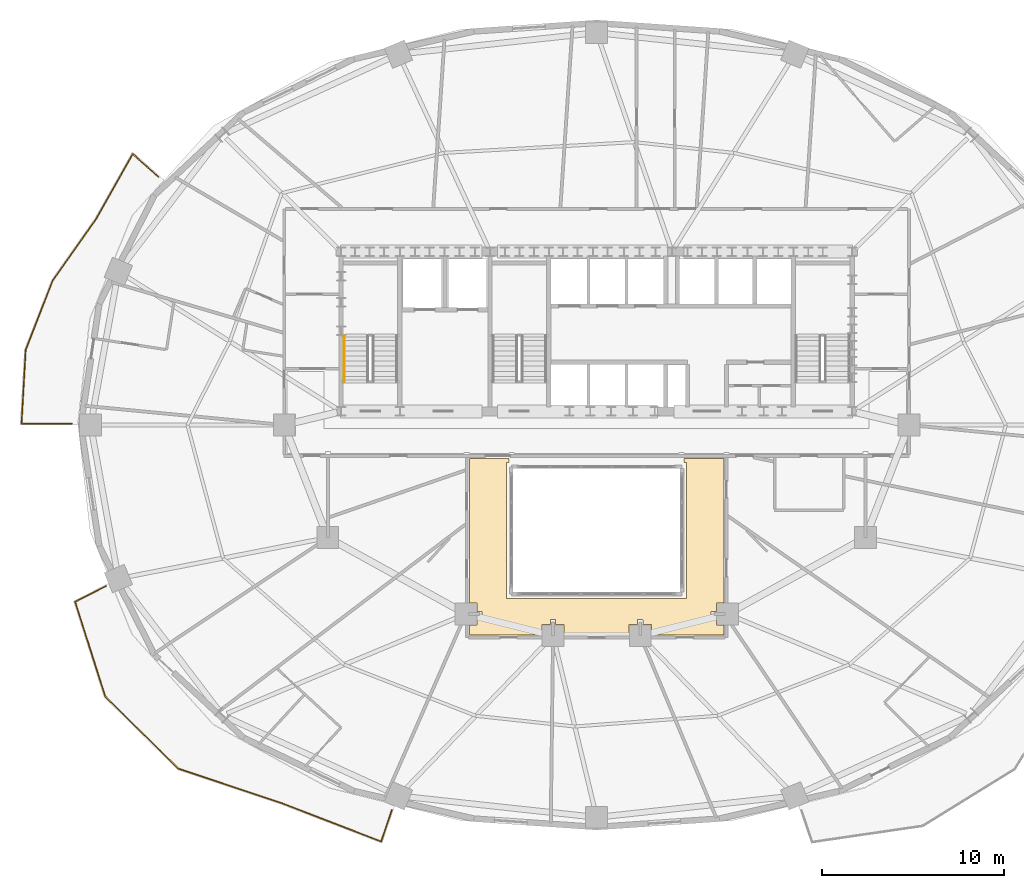
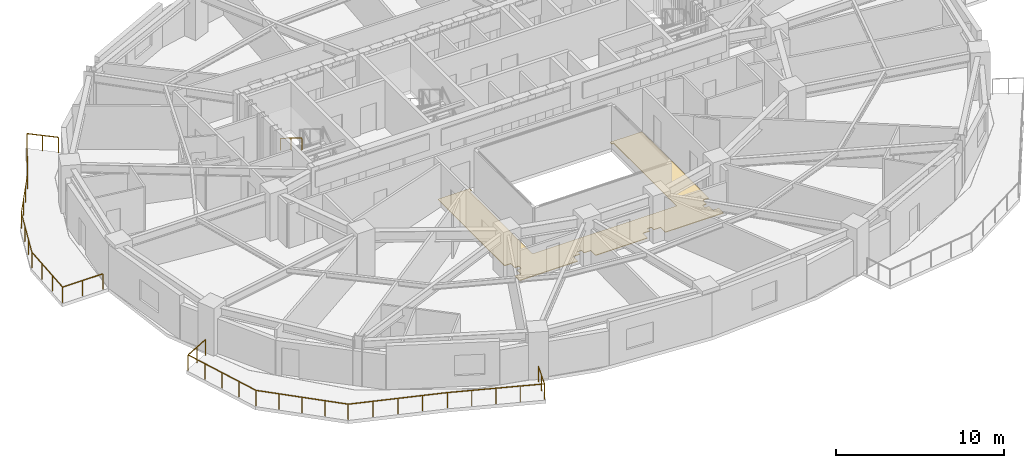
# One storey, part 12 of 14: 3 railings, 1 covering.
"""IFC4 building model written with IfcOpenShell, lengths in metres."""

from ifc_helpers import new_model, si_unit, direction, frame, origin, origin_2d, place, context, subcontext, project, spatial, polyline, rectangle, outline, extrude, material, layer, layer_set, type_object, element, save


model = new_model("IFC4")

# Units and contexts
model_context = context("Model", 3, precision=1e-05, world=origin(), true_north=direction((0.0, 1.0)))
body_context = subcontext(model_context, "Body", "Model", "MODEL_VIEW")
ifc_project = project(units=[si_unit("LENGTHUNIT", "METRE"), si_unit("AREAUNIT", "SQUARE_METRE"), si_unit("VOLUMEUNIT", "CUBIC_METRE"), si_unit("PLANEANGLEUNIT", "RADIAN"), si_unit("MASSUNIT", "GRAM", prefix="KILO")], contexts=[model_context])

# Site, building, storey
site_placement = place(None, origin())
site = spatial("IfcSite", under=ifc_project, at=site_placement, CompositionType="ELEMENT")
building_placement = place(site_placement, origin())
building = spatial("IfcBuilding", under=site, at=building_placement, Name="Haldorwick Loom Tower", CompositionType="ELEMENT")
storey_placement = place(building_placement, frame((0.0, 0.0, 102.5)))
storey = spatial("IfcBuildingStorey", under=building, at=storey_placement, Name="L27", CompositionType="ELEMENT", Elevation=102.5)

# Covering
ifc_material_1 = material(Name="Polished Aggregate Terrazzo Finish")
ifc_layer = layer(ifc_material_1, 0.044921875, Name="Polished Aggregate Terrazzo Finish")
ifc_layer_set = layer_set([ifc_layer], Name="Polished Aggregate Terrazzo Finish")
covering_type = type_object("IfcCoveringType", Name="ARC-COV-FLOOR2", PredefinedType="FLOORING", material=ifc_layer_set)
covering_placement = place(storey_placement, origin())
element("IfcCovering", 1, at=covering_placement, inside=storey, type_object=covering_type, Name="L27 Floor Finish 1", PredefinedType="FLOORING", context=body_context, shape_type="SweptSolid", body=[
    extrude(outline(polyline([(33.719970703125, 15.2900390625), (33.721923828125, 15.289794921875), (33.723876953125, 15.28955078125), (33.725830078125, 15.2890625), (33.727783203125, 15.28857421875), (33.7294921875, 15.28759765625), (33.731201171875, 15.28662109375), (33.732666015625, 15.285400390625), (33.734130859375, 15.2841796875), (33.735595703125, 15.28271484375), (33.736572265625, 15.281005859375), (33.737548828125, 15.279296875), (33.738525390625, 15.277587890625), (33.739013671875, 15.27587890625), (33.739501953125, 15.27392578125), (33.739990234375, 15.27197265625), (33.739990234375, 15.27001953125), (33.739990234375, 15.008056640625), (34.2080078125, 15.008056640625), (34.2080078125, 14.43994140625), (37.7919921875, 14.43994140625), (37.7919921875, 15.008056640625), (38.260009765625, 15.008056640625), (38.260009765625, 15.27001953125), (38.260009765625, 15.27197265625), (38.260498046875, 15.27392578125), (38.260986328125, 15.27587890625), (38.261474609375, 15.277587890625), (38.262451171875, 15.279296875), (38.263427734375, 15.281005859375), (38.264404296875, 15.28271484375), (38.265869140625, 15.2841796875), (38.267333984375, 15.285400390625), (38.268798828125, 15.28662109375), (38.2705078125, 15.28759765625), (38.272216796875, 15.28857421875), (38.274169921875, 15.2890625), (38.276123046875, 15.28955078125), (38.278076171875, 15.289794921875), (38.280029296875, 15.2900390625), (38.52001953125, 15.2900390625), (38.52197265625, 15.289794921875), (38.52392578125, 15.28955078125), (38.52587890625, 15.2890625), (38.527587890625, 15.28857421875), (38.529296875, 15.28759765625), (38.531005859375, 15.28662109375), (38.53271484375, 15.285400390625), (38.5341796875, 15.2841796875), (38.535400390625, 15.28271484375), (38.53662109375, 15.281005859375), (38.53759765625, 15.279541015625), (38.53857421875, 15.277587890625), (38.5390625, 15.27587890625), (38.53955078125, 15.27392578125), (38.539794921875, 15.27197265625), (38.5400390625, 15.27001953125), (38.54052734375, 15.008056640625), (39.008056640625, 15.008056640625), (39.008056640625, 14.43994140625), (43.010009765625, 14.43994140625), (43.010009765625, 14.991943359375), (42.592041015625, 14.991943359375), (42.592041015625, 15.4599609375), (42.330078125, 15.4599609375), (42.327880859375, 15.460205078125), (42.326171875, 15.46044921875), (42.32421875, 15.4609375), (42.322265625, 15.46142578125), (42.320556640625, 15.46240234375), (42.31884765625, 15.46337890625), (42.3173828125, 15.464599609375), (42.31591796875, 15.4658203125), (42.314453125, 15.46728515625), (42.3134765625, 15.468994140625), (42.3125, 15.470703125), (42.3115234375, 15.472412109375), (42.310791015625, 15.47412109375), (42.310302734375, 15.47607421875), (42.31005859375, 15.47802734375), (42.31005859375, 15.47998046875), (42.31005859375, 15.719970703125), (42.31005859375, 15.721923828125), (42.310302734375, 15.723876953125), (42.310791015625, 15.725830078125), (42.3115234375, 15.727783203125), (42.3125, 15.7294921875), (42.3134765625, 15.731201171875), (42.314453125, 15.732666015625), (42.31591796875, 15.734130859375), (42.3173828125, 15.735595703125), (42.31884765625, 15.736572265625), (42.320556640625, 15.737548828125), (42.322265625, 15.738525390625), (42.32421875, 15.739013671875), (42.326171875, 15.739501953125), (42.327880859375, 15.739990234375), (42.330078125, 15.739990234375), (42.592041015625, 15.739990234375), (42.592041015625, 16.2080078125), (43.010009765625, 16.2080078125), (43.010009765625, 24.159912109375), (40.820068359375, 24.159912109375), (40.820068359375, 23.949951171875), (40.949951171875, 23.949951171875), (40.949951171875, 16.449951171875), (31.050048828125, 16.449951171875), (31.050048828125, 23.949951171875), (31.179931640625, 23.949951171875), (31.179931640625, 24.159912109375), (28.989990234375, 24.159912109375), (28.989990234375, 16.2080078125), (29.407958984375, 16.2080078125), (29.407958984375, 15.739990234375), (29.669921875, 15.739990234375), (29.672119140625, 15.739990234375), (29.673828125, 15.739501953125), (29.67578125, 15.739013671875), (29.677734375, 15.738525390625), (29.679443359375, 15.737548828125), (29.68115234375, 15.736572265625), (29.6826171875, 15.735595703125), (29.68408203125, 15.734130859375), (29.685546875, 15.732666015625), (29.6865234375, 15.731201171875), (29.6875, 15.7294921875), (29.6884765625, 15.727783203125), (29.689208984375, 15.725830078125), (29.689697265625, 15.723876953125), (29.68994140625, 15.721923828125), (29.68994140625, 15.719970703125), (29.68994140625, 15.47998046875), (29.68994140625, 15.47802734375), (29.689697265625, 15.47607421875), (29.689208984375, 15.47412109375), (29.6884765625, 15.472412109375), (29.6875, 15.470703125), (29.6865234375, 15.468994140625), (29.685546875, 15.46728515625), (29.68408203125, 15.4658203125), (29.6826171875, 15.464599609375), (29.68115234375, 15.46337890625), (29.679443359375, 15.46240234375), (29.677734375, 15.46142578125), (29.67578125, 15.4609375), (29.673828125, 15.46044921875), (29.672119140625, 15.460205078125), (29.669921875, 15.4599609375), (29.407958984375, 15.4599609375), (29.407958984375, 14.991943359375), (28.989990234375, 14.991943359375), (28.989990234375, 14.43994140625), (32.991943359375, 14.43994140625), (32.991943359375, 15.008056640625), (33.4599609375, 15.008056640625), (33.4599609375, 15.27001953125), (33.460205078125, 15.27197265625), (33.46044921875, 15.27392578125), (33.4609375, 15.27587890625), (33.46142578125, 15.277587890625), (33.46240234375, 15.279296875), (33.46337890625, 15.281005859375), (33.464599609375, 15.28271484375), (33.4658203125, 15.2841796875), (33.46728515625, 15.285400390625), (33.468994140625, 15.28662109375), (33.470703125, 15.28759765625), (33.472412109375, 15.28857421875), (33.47412109375, 15.2890625), (33.47607421875, 15.28955078125), (33.47802734375, 15.289794921875), (33.47998046875, 15.2900390625), (33.719970703125, 15.2900390625)])), origin(), (0.0, 0.0, 1.0), 0.044921875),
])

# Railings
ifc_material_2 = material(Name="Galvanized Steel CSA G40.21 350W", Category="steel")
railing_type_1 = type_object("IfcRailingType", Name="ARC-RLG-BAL115", PredefinedType="BALUSTRADE", material=ifc_material_2)
railing_1_placement = place(storey_placement, frame((24.726806640625, 4.806396484375, 0.0)))
element("IfcRailing", 2, at=railing_1_placement, inside=storey, type_object=railing_type_1, Name="L27 Outdoor Terrace Guardrail SLB-L27-BAL_SW-1", PredefinedType="BALUSTRADE", context=body_context, shape_type="SweptSolid", body=[
    extrude(rectangle(XDim=0.048095703125, YDim=0.048095703125, at=origin_2d()), frame((0.0, 0.0, 1.1259765625), z_axis=(-0.320417931945, -0.94727627907, 0.0), x_axis=(0.94727627907, -0.320417931945, 0.0)), (0.0, 0.0, 1.0), 1.833984375),
    extrude(rectangle(XDim=0.048095703125, YDim=0.048095703125, at=origin_2d()), frame((-0.587646484375, -1.7373046875, 1.1259765625), z_axis=(-0.932882459641, 0.360180949654, 0.0), x_axis=(-0.360180949654, -0.932882459641, 0.0)), (0.0, 0.0, 1.0), 5.838134765625),
    extrude(rectangle(XDim=0.048095703125, YDim=0.048095703125, at=origin_2d()), frame((-6.033935546875, 0.365478515625, 1.1259765625), z_axis=(-0.948683298051, 0.316227766017, 0.0), x_axis=(-0.316227766017, -0.948683298051, 0.0)), (0.0, 0.0, 1.0), 0.00390625),
    extrude(rectangle(XDim=0.048095703125, YDim=0.048095703125, at=origin_2d()), frame((-6.03759765625, 0.36669921875, 1.1259765625), z_axis=(-0.948504711831, 0.316763021254, 0.0), x_axis=(-0.316763021254, -0.948504711831, 0.0)), (0.0, 0.0, 1.0), 6.020263671875),
    extrude(rectangle(XDim=0.048095703125, YDim=0.048095703125, at=origin_2d()), frame((-11.747802734375, 2.273681640625, 1.1259765625), z_axis=(-0.711398400185, 0.702788955671, 0.0), x_axis=(-0.702788955671, -0.711398400185, 0.0)), (0.0, 0.0, 1.0), 5.67138671875),
    extrude(rectangle(XDim=0.048095703125, YDim=0.048095703125, at=origin_2d()), frame((-15.782470703125, 6.259521484375, 1.1259765625), z_axis=(-0.303362527598, 0.952875215781, 0.0), x_axis=(-0.952875215781, -0.303362527598, 0.0)), (0.0, 0.0, 1.0), 5.454833984375),
    extrude(rectangle(XDim=0.048095703125, YDim=0.048095703125, at=origin_2d()), frame((-17.437255859375, 11.457275390625, 1.1259765625), z_axis=(0.890778954109, 0.454436854708, 0.0), x_axis=(-0.454436854708, 0.890778954109, 0.0)), (0.0, 0.0, 1.0), 1.888916015625),
    extrude(rectangle(XDim=0.0419921875, YDim=0.0419921875, at=origin_2d()), origin(), (0.0, 0.0, 1.0), 1.101806640625),
    extrude(rectangle(XDim=0.0419921875, YDim=0.0419921875, at=origin_2d()), frame((-0.2939453125, -0.86865234375, 0.0)), (0.0, 0.0, 1.0), 1.101806640625),
    extrude(rectangle(XDim=0.0419921875, YDim=0.0419921875, at=origin_2d()), frame((-0.587646484375, -1.7373046875, 0.0)), (0.0, 0.0, 1.0), 1.101806640625),
    extrude(rectangle(XDim=0.0419921875, YDim=0.0419921875, at=origin_2d()), frame((-1.94921875, -1.211669921875, 0.0)), (0.0, 0.0, 1.0), 1.101806640625),
    extrude(rectangle(XDim=0.0419921875, YDim=0.0419921875, at=origin_2d()), frame((-3.310791015625, -0.68603515625, 0.0)), (0.0, 0.0, 1.0), 1.101806640625),
    extrude(rectangle(XDim=0.0419921875, YDim=0.0419921875, at=origin_2d()), frame((-4.67236328125, -0.16015625, 0.0)), (0.0, 0.0, 1.0), 1.101806640625),
    extrude(rectangle(XDim=0.0419921875, YDim=0.0419921875, at=origin_2d()), frame((-6.033935546875, 0.365478515625, 0.0)), (0.0, 0.0, 1.0), 1.101806640625),
    extrude(rectangle(XDim=0.0419921875, YDim=0.0419921875, at=origin_2d()), frame((-7.465087890625, 0.843505859375, 0.0)), (0.0, 0.0, 1.0), 1.101806640625),
    extrude(rectangle(XDim=0.0419921875, YDim=0.0419921875, at=origin_2d()), frame((-8.892578125, 1.3203125, 0.0)), (0.0, 0.0, 1.0), 1.101806640625),
    extrude(rectangle(XDim=0.0419921875, YDim=0.0419921875, at=origin_2d()), frame((-10.3203125, 1.796875, 0.0)), (0.0, 0.0, 1.0), 1.101806640625),
    extrude(rectangle(XDim=0.0419921875, YDim=0.0419921875, at=origin_2d()), frame((-11.747802734375, 2.273681640625, 0.0)), (0.0, 0.0, 1.0), 1.101806640625),
    extrude(rectangle(XDim=0.0419921875, YDim=0.0419921875, at=origin_2d()), frame((-12.75634765625, 3.27001953125, 0.0)), (0.0, 0.0, 1.0), 1.101806640625),
    extrude(rectangle(XDim=0.0419921875, YDim=0.0419921875, at=origin_2d()), frame((-13.76513671875, 4.2666015625, 0.0)), (0.0, 0.0, 1.0), 1.101806640625),
    extrude(rectangle(XDim=0.0419921875, YDim=0.0419921875, at=origin_2d()), frame((-14.77392578125, 5.26318359375, 0.0)), (0.0, 0.0, 1.0), 1.101806640625),
    extrude(rectangle(XDim=0.0419921875, YDim=0.0419921875, at=origin_2d()), frame((-15.782470703125, 6.259521484375, 0.0)), (0.0, 0.0, 1.0), 1.101806640625),
    extrude(rectangle(XDim=0.0419921875, YDim=0.0419921875, at=origin_2d()), frame((-16.1962890625, 7.55908203125, 0.0)), (0.0, 0.0, 1.0), 1.101806640625),
    extrude(rectangle(XDim=0.0419921875, YDim=0.0419921875, at=origin_2d()), frame((-16.60986328125, 8.8583984375, 0.0)), (0.0, 0.0, 1.0), 1.101806640625),
    extrude(rectangle(XDim=0.0419921875, YDim=0.0419921875, at=origin_2d()), frame((-17.0234375, 10.15771484375, 0.0)), (0.0, 0.0, 1.0), 1.101806640625),
    extrude(rectangle(XDim=0.0419921875, YDim=0.0419921875, at=origin_2d()), frame((-17.437255859375, 11.457275390625, 0.0)), (0.0, 0.0, 1.0), 1.101806640625),
    extrude(rectangle(XDim=0.0419921875, YDim=0.0419921875, at=origin_2d()), frame((-16.595947265625, 11.886474609375, 0.0)), (0.0, 0.0, 1.0), 1.101806640625),
    extrude(rectangle(XDim=0.0419921875, YDim=0.0419921875, at=origin_2d()), frame((-15.754638671875, 12.315673828125, 0.0)), (0.0, 0.0, 1.0), 1.101806640625),
])
railing_2_placement = place(storey_placement, frame((7.09912109375, 26.080078125, 0.0)))
element("IfcRailing", 3, at=railing_2_placement, inside=storey, type_object=railing_type_1, Name="L27 Outdoor Terrace Guardrail SLB-L27-BAL_WNW-1", PredefinedType="BALUSTRADE", context=body_context, shape_type="SweptSolid", body=[
    extrude(rectangle(XDim=0.048095703125, YDim=0.048095703125, at=origin_2d()), frame((0.0, 0.0, 1.1259765625), z_axis=(-1.0, 0.0, 0.0), x_axis=(0.0, -1.0, 0.0)), (0.0, 0.0, 1.0), 2.760498046875),
    extrude(rectangle(XDim=0.048095703125, YDim=0.048095703125, at=origin_2d()), frame((-2.760498046875, 0.0, 1.1259765625), z_axis=(0.056246298958, 0.998416923862, 0.0), x_axis=(-0.998416923862, 0.056246298958, 0.0)), (0.0, 0.0, 1.0), 4.058349609375),
    extrude(rectangle(XDim=0.048095703125, YDim=0.048095703125, at=origin_2d()), frame((-2.5322265625, 4.052001953125, 1.1259765625), z_axis=(0.362738037481, 0.931891150384, 0.0), x_axis=(-0.931891150384, 0.362738037481, 0.0)), (0.0, 0.0, 1.0), 4.118408203125),
    extrude(rectangle(XDim=0.048095703125, YDim=0.048095703125, at=origin_2d()), frame((-1.038330078125, 7.889892578125, 1.1259765625), z_axis=(0.57677905745, 0.81690018906, 0.0), x_axis=(-0.81690018906, 0.57677905745, 0.0)), (0.0, 0.0, 1.0), 4.099609375),
    extrude(rectangle(XDim=0.048095703125, YDim=0.048095703125, at=origin_2d()), frame((1.326171875, 11.23876953125, 1.1259765625), z_axis=(0.540757591313, 0.841178475377, 0.0), x_axis=(-0.841178475377, 0.540757591313, 0.0)), (0.0, 0.0, 1.0), 0.008056640625),
    extrude(rectangle(XDim=0.048095703125, YDim=0.048095703125, at=origin_2d()), frame((1.33056640625, 11.24560546875, 1.1259765625), z_axis=(0.491360253455, 0.870956429062, 0.0), x_axis=(-0.870956429062, 0.491360253455, 0.0)), (0.0, 0.0, 1.0), 4.133056640625),
    extrude(rectangle(XDim=0.048095703125, YDim=0.048095703125, at=origin_2d()), frame((3.361328125, 14.84521484375, 1.1259765625), z_axis=(0.745860425013, -0.66610226422, 0.0), x_axis=(0.66610226422, 0.745860425013, 0.0)), (0.0, 0.0, 1.0), 1.906982421875),
    extrude(rectangle(XDim=0.0419921875, YDim=0.0419921875, at=origin_2d()), origin(), (0.0, 0.0, 1.0), 1.101806640625),
    extrude(rectangle(XDim=0.0419921875, YDim=0.0419921875, at=origin_2d()), frame((-1.38037109375, 0.0, 0.0)), (0.0, 0.0, 1.0), 1.101806640625),
    extrude(rectangle(XDim=0.0419921875, YDim=0.0419921875, at=origin_2d()), frame((-2.760498046875, 0.0, 0.0)), (0.0, 0.0, 1.0), 1.101806640625),
    extrude(rectangle(XDim=0.0419921875, YDim=0.0419921875, at=origin_2d()), frame((-2.684326171875, 1.3505859375, 0.0)), (0.0, 0.0, 1.0), 1.101806640625),
    extrude(rectangle(XDim=0.0419921875, YDim=0.0419921875, at=origin_2d()), frame((-2.6083984375, 2.701416015625, 0.0)), (0.0, 0.0, 1.0), 1.101806640625),
    extrude(rectangle(XDim=0.0419921875, YDim=0.0419921875, at=origin_2d()), frame((-2.5322265625, 4.052001953125, 0.0)), (0.0, 0.0, 1.0), 1.101806640625),
    extrude(rectangle(XDim=0.0419921875, YDim=0.0419921875, at=origin_2d()), frame((-2.0341796875, 5.331298828125, 0.0)), (0.0, 0.0, 1.0), 1.101806640625),
    extrude(rectangle(XDim=0.0419921875, YDim=0.0419921875, at=origin_2d()), frame((-1.536376953125, 6.610595703125, 0.0)), (0.0, 0.0, 1.0), 1.101806640625),
    extrude(rectangle(XDim=0.0419921875, YDim=0.0419921875, at=origin_2d()), frame((-1.038330078125, 7.889892578125, 0.0)), (0.0, 0.0, 1.0), 1.101806640625),
    extrude(rectangle(XDim=0.0419921875, YDim=0.0419921875, at=origin_2d()), frame((-0.250244140625, 9.006103515625, 0.0)), (0.0, 0.0, 1.0), 1.101806640625),
    extrude(rectangle(XDim=0.0419921875, YDim=0.0419921875, at=origin_2d()), frame((0.5380859375, 10.12255859375, 0.0)), (0.0, 0.0, 1.0), 1.101806640625),
    extrude(rectangle(XDim=0.0419921875, YDim=0.0419921875, at=origin_2d()), frame((1.326171875, 11.23876953125, 0.0)), (0.0, 0.0, 1.0), 1.101806640625),
    extrude(rectangle(XDim=0.0419921875, YDim=0.0419921875, at=origin_2d()), frame((2.007568359375, 12.445556640625, 0.0)), (0.0, 0.0, 1.0), 1.101806640625),
    extrude(rectangle(XDim=0.0419921875, YDim=0.0419921875, at=origin_2d()), frame((2.684326171875, 13.645263671875, 0.0)), (0.0, 0.0, 1.0), 1.101806640625),
    extrude(rectangle(XDim=0.0419921875, YDim=0.0419921875, at=origin_2d()), frame((3.361328125, 14.84521484375, 0.0)), (0.0, 0.0, 1.0), 1.101806640625),
    extrude(rectangle(XDim=0.0419921875, YDim=0.0419921875, at=origin_2d()), frame((4.072509765625, 14.2099609375, 0.0)), (0.0, 0.0, 1.0), 1.101806640625),
    extrude(rectangle(XDim=0.0419921875, YDim=0.0419921875, at=origin_2d()), frame((4.78369140625, 13.574951171875, 0.0)), (0.0, 0.0, 1.0), 1.101806640625),
])
ifc_material_3 = material(Name="Steel CSA G40.21 350W", Category="steel")
railing_type_2 = type_object("IfcRailingType", Name="ARC-RLG-HAND092", PredefinedType="HANDRAIL", material=ifc_material_3)
railing_3_placement = place(storey_placement, frame((22.10009765625, 30.919921875, 1.8974609375)))
element("IfcRailing", 4, at=railing_3_placement, inside=storey, type_object=railing_type_2, Name="L27 ST-01 stair handrail 2", PredefinedType="HANDRAIL", context=body_context, shape_type="SweptSolid", body=[
    extrude(rectangle(XDim=0.048095703125, YDim=0.048095703125, at=origin_2d()), frame((0.0, 0.0, 0.8759765625), z_axis=(0.0, -0.851400495292, 0.524516154772), x_axis=(1.0, 0.0, 0.0)), (0.0, 0.0, 1.0), 2.9599609375),
    extrude(rectangle(XDim=0.0419921875, YDim=0.0419921875, at=origin_2d()), origin(), (0.0, 0.0, 1.0), 0.851806640625),
    extrude(rectangle(XDim=0.0419921875, YDim=0.0419921875, at=origin_2d()), frame((0.0, -1.260009765625, 0.7763671875)), (0.0, 0.0, 1.0), 0.851806640625),
    extrude(rectangle(XDim=0.0419921875, YDim=0.0419921875, at=origin_2d()), frame((0.0, -2.52001953125, 1.552490234375)), (0.0, 0.0, 1.0), 0.851806640625),
])

save(model, "model.ifc")
